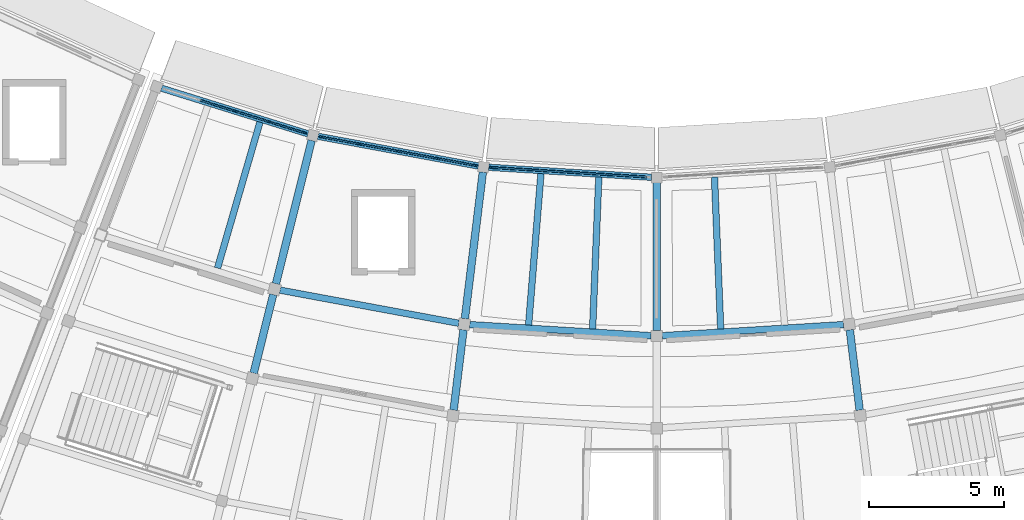
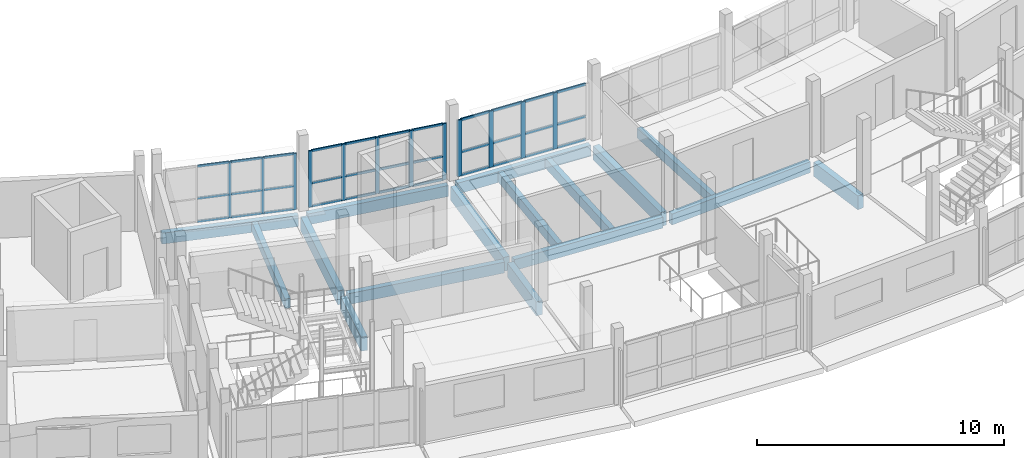
# One storey, part 26 of 66: 45 members, 16 beams, 3 elements without a shape of their own.
"""IFC4 building model written with IfcOpenShell, lengths in metres."""

from ifc_helpers import new_model, si_unit, direction, frame, origin, origin_2d, place, context, subcontext, project, spatial, rectangle, extrude, material, layer, layer_set, material_profile, profile_set, type_object, element, aggregate, save


model = new_model("IFC4")

# Units and contexts
model_context = context("Model", 3, precision=1e-05, world=origin(), true_north=direction((0.0, 1.0)))
body_context = subcontext(model_context, "Body", "Model", "MODEL_VIEW")
ifc_project = project(units=[si_unit("LENGTHUNIT", "METRE"), si_unit("AREAUNIT", "SQUARE_METRE"), si_unit("VOLUMEUNIT", "CUBIC_METRE"), si_unit("PLANEANGLEUNIT", "RADIAN"), si_unit("MASSUNIT", "GRAM", prefix="KILO")], contexts=[model_context])

# Site, building, storey
site_placement = place(None, origin())
site = spatial("IfcSite", under=ifc_project, at=site_placement, CompositionType="ELEMENT")
building_placement = place(site_placement, origin())
building = spatial("IfcBuilding", under=site, at=building_placement, Name="Caldaven Crescent School", CompositionType="ELEMENT")
storey_placement = place(building_placement, frame((0.0, 0.0, 8.159912109375)))
storey = spatial("IfcBuildingStorey", under=building, at=storey_placement, Name="L02", CompositionType="ELEMENT", Elevation=8.159912109375)

# Beams
ifc_material_1 = material(Name="Glulam MLE24h (GL28h)", Category="wood")
ifc_material_profile_1 = material_profile(ifc_material_1, rectangle(XDim=0.239990234375, YDim=0.5400390625, at=origin_2d()), Name="MLE 240x540")
ifc_profile_set_1 = profile_set([ifc_material_profile_1], Name="Glulam MLE24h (GL28h)")
beam_type_1 = type_object("IfcBeamType", Name="BM-GL54", PredefinedType="BEAM", material=ifc_profile_set_1)
for number, where, z_axis, x_axis, name in (
    (1, (74.097412109375, 39.394287109375, -0.52001953125), (0.983256896328, -0.182224794756, 0.0), (0.182224794756, 0.983256896328, 0.0), "BMT-V5-L02-1236"),
    (2, (81.099609375, 38.1220703125, -0.52001953125), (0.998133569693, -0.061068625755, 0.0), (0.061068625755, 0.998133569693, 0.0), "BMT-V5-L02-1243"),
    (3, (88.20458984375, 37.71240234375, -0.52001953125), (0.998133569693, 0.061068625755, 0.0), (-0.061068625755, 0.998133569693, 0.0), "BMT-V5-L02-1252"),
):
    element("IfcBeam", number, at=place(storey_placement, frame(where, z_axis=z_axis, x_axis=x_axis)), inside=storey, type_object=beam_type_1, Name=name, PredefinedType="BEAM", context=body_context, shape_type="SweptSolid", body=[
        extrude(rectangle(XDim=0.239990234375, YDim=0.5400390625, at=origin_2d()), origin(), (0.0, 0.0, 1.0), 6.708251953125),
    ])
ifc_material_profile_2 = material_profile(ifc_material_1, rectangle(XDim=0.280029296875, YDim=0.68994140625, at=origin_2d()), Name="MLE 280x690")
ifc_profile_set_2 = profile_set([ifc_material_profile_2], Name="Glulam MLE24h (GL28h)")
beam_type_2 = type_object("IfcBeamType", Name="BM-GL69", PredefinedType="BEAM", material=ifc_profile_set_2)
beam_1_placement = place(storey_placement, frame((75.26513671875, 44.923583984375, -0.594970703125), z_axis=(-0.241903730583, -0.970300255143, 0.0), x_axis=(0.970300255143, -0.241903730583, 0.0)))
element("IfcBeam", 4, at=beam_1_placement, inside=storey, type_object=beam_type_2, Name="BMR-V5-L02-1204", PredefinedType="BEAM", context=body_context, shape_type="SweptSolid", body=[
    extrude(rectangle(XDim=0.280029296875, YDim=0.68994140625, at=origin_2d()), origin(), (0.0, 0.0, 1.0), 5.455078125),
])
beam_2_placement = place(storey_placement, frame((73.846435546875, 39.23291015625, -0.594970703125), z_axis=(-0.241920820529, -0.97029599432, 0.0), x_axis=(0.97029599432, -0.241920820529, 0.0)))
element("IfcBeam", 5, at=beam_2_placement, inside=storey, type_object=beam_type_2, Name="BMR-V5-L02-1205", PredefinedType="BEAM", context=body_context, shape_type="SweptSolid", body=[
    extrude(rectangle(XDim=0.280029296875, YDim=0.68994140625, at=origin_2d()), origin(), (0.0, 0.0, 1.0), 2.990234375),
])
beam_3_placement = place(storey_placement, frame((81.584716796875, 43.75244140625, -0.594970703125), z_axis=(-0.121869642909, -0.992546114867, 0.0), x_axis=(0.992546114867, -0.121869642909, 0.0)))
element("IfcBeam", 6, at=beam_3_placement, inside=storey, type_object=beam_type_2, Name="BMR-V5-L02-1208", PredefinedType="BEAM", context=body_context, shape_type="SweptSolid", body=[
    extrude(rectangle(XDim=0.280029296875, YDim=0.68994140625, at=origin_2d()), origin(), (0.0, 0.0, 1.0), 5.455078125),
])
beam_4_placement = place(storey_placement, frame((80.8701171875, 37.93115234375, -0.594970703125), z_axis=(-0.121904002134, -0.99254189547, 0.0), x_axis=(0.99254189547, -0.121904002134, 0.0)))
element("IfcBeam", 7, at=beam_4_placement, inside=storey, type_object=beam_type_2, Name="BMR-V5-L02-1209", PredefinedType="BEAM", context=body_context, shape_type="SweptSolid", body=[
    extrude(rectangle(XDim=0.280029296875, YDim=0.68994140625, at=origin_2d()), origin(), (0.0, 0.0, 1.0), 2.989990234375),
])
beam_5_placement = place(storey_placement, frame((88.0, 43.360107421875, -0.594970703125), z_axis=(0.0, -1.0, 0.0), x_axis=(1.0, 0.0, 0.0)))
element("IfcBeam", 8, at=beam_5_placement, inside=storey, type_object=beam_type_2, Name="BMR-V5-L02-1212", PredefinedType="BEAM", context=body_context, shape_type="SweptSolid", body=[
    extrude(rectangle(XDim=0.280029296875, YDim=0.68994140625, at=origin_2d()), origin(), (0.0, 0.0, 1.0), 5.455078125),
])
beam_6_placement = place(storey_placement, frame((95.1298828125, 37.93115234375, -0.594970703125), z_axis=(0.121904002134, -0.99254189547, 0.0), x_axis=(0.99254189547, 0.121904002134, 0.0)))
element("IfcBeam", 9, at=beam_6_placement, inside=storey, type_object=beam_type_2, Name="BMR-V5-L02-1217", PredefinedType="BEAM", context=body_context, shape_type="SweptSolid", body=[
    extrude(rectangle(XDim=0.280029296875, YDim=0.68994140625, at=origin_2d()), origin(), (0.0, 0.0, 1.0), 2.989990234375),
])

# Curtain wall, members
ifc_material_2 = material(Name="Anodised aluminium AA 6063-T6 and low-E double glazing", Category="aluminium")
ifc_layer_1 = layer(ifc_material_2, 0.2099609375)
ifc_layer_set_1 = layer_set([ifc_layer_1], Name="Anodised aluminium AA 6063-T6 and low-E double glazing")
curtain_wall_type_1 = type_object("IfcCurtainWallType", Name="CW-SYS3", PredefinedType="NOTDEFINED", material=ifc_layer_set_1)
curtain_wall_1_placement = place(storey_placement, origin())
curtain_wall_1 = element("IfcCurtainWall", 10, at=curtain_wall_1_placement, inside=storey, type_object=curtain_wall_type_1, Name="CW-L02-140", PredefinedType="NOTDEFINED")
ifc_material_3 = material(Name="Anodised aluminium AA 6063-T6", Category="aluminium")
ifc_material_profile_3 = material_profile(ifc_material_3, rectangle(XDim=0.06005859375, YDim=0.14990234375, at=origin_2d()), Name="CWM 60x150")
ifc_profile_set_3 = profile_set([ifc_material_profile_3], Name="Anodised aluminium AA 6063-T6")
member_type_1 = type_object("IfcMemberType", Name="CWM-T1", PredefinedType="MULLION", material=ifc_profile_set_3)
member_1_placement = place(storey_placement, frame((72.42626953125, 46.0068359375, 0.0), z_axis=(0.0, 0.0, 1.0), x_axis=(0.297419758694, 0.954746818344, 0.0)))
member_1 = element("IfcMember", 11, at=member_1_placement, type_object=member_type_1, Name="CW3 mullion 3", PredefinedType="MULLION", context=body_context, shape_type="SweptSolid", body=[
    extrude(rectangle(XDim=0.06005859375, YDim=0.14990234375, at=origin_2d()), origin(), (0.0, 0.0, 1.0), 2.780029296875),
])
member_2_placement = place(storey_placement, frame((73.7255859375, 45.60205078125, 0.0), z_axis=(0.0, 0.0, 1.0), x_axis=(0.297419758694, 0.954746818344, 0.0)))
member_2 = element("IfcMember", 12, at=member_2_placement, type_object=member_type_1, Name="CW3 mullion 4", PredefinedType="MULLION", context=body_context, shape_type="SweptSolid", body=[
    extrude(rectangle(XDim=0.06005859375, YDim=0.14990234375, at=origin_2d()), origin(), (0.0, 0.0, 1.0), 2.780029296875),
])
member_3_placement = place(storey_placement, frame((74.99609375, 45.2060546875, 0.0), z_axis=(0.0, 0.0, 1.0), x_axis=(0.297419758694, 0.954746818344, 0.0)))
member_3 = element("IfcMember", 13, at=member_3_placement, type_object=member_type_1, Name="CW3 mullion 5", PredefinedType="MULLION", context=body_context, shape_type="SweptSolid", body=[
    extrude(rectangle(XDim=0.06005859375, YDim=0.14990234375, at=origin_2d()), origin(), (0.0, 0.0, 1.0), 2.780029296875),
])

ifc_layer_2 = layer(ifc_material_2, 0.22998046875)
ifc_layer_set_2 = layer_set([ifc_layer_2], Name="Anodised aluminium AA 6063-T6 and low-E double glazing")
curtain_wall_type_2 = type_object("IfcCurtainWallType", Name="CW-SYS4", PredefinedType="NOTDEFINED", material=ifc_layer_set_2)
curtain_wall_2_placement = place(storey_placement, origin())
curtain_wall_2 = element("IfcCurtainWall", 14, at=curtain_wall_2_placement, inside=storey, type_object=curtain_wall_type_2, Name="CW-L02-142", PredefinedType="NOTDEFINED")
ifc_material_profile_4 = material_profile(ifc_material_3, rectangle(XDim=0.06494140625, YDim=0.179931640625, at=origin_2d()), Name="CWM 65x180")
ifc_profile_set_4 = profile_set([ifc_material_profile_4], Name="Anodised aluminium AA 6063-T6")
member_type_2 = type_object("IfcMemberType", Name="CWM-T2", PredefinedType="MULLION", material=ifc_profile_set_4)
member_4_placement = place(storey_placement, frame((75.63818359375, 45.04736328125, 0.0), z_axis=(0.0, 0.0, 1.0), x_axis=(0.182236405836, 0.983254744401, 0.0)))
member_4 = element("IfcMember", 15, at=member_4_placement, type_object=member_type_2, Name="CW4 mullion 1", PredefinedType="MULLION", context=body_context, shape_type="SweptSolid", body=[
    extrude(rectangle(XDim=0.06494140625, YDim=0.179931640625, at=origin_2d()), origin(), (0.0, 0.0, 1.0), 2.780029296875),
])
member_5_placement = place(storey_placement, frame((77.032958984375, 44.788818359375, 0.0), z_axis=(0.0, 0.0, 1.0), x_axis=(0.182236405836, 0.983254744401, 0.0)))
member_5 = element("IfcMember", 16, at=member_5_placement, type_object=member_type_2, Name="CW4 mullion 2", PredefinedType="MULLION", context=body_context, shape_type="SweptSolid", body=[
    extrude(rectangle(XDim=0.06494140625, YDim=0.179931640625, at=origin_2d()), origin(), (0.0, 0.0, 1.0), 2.780029296875),
])
member_6_placement = place(storey_placement, frame((78.45947265625, 44.5244140625, 0.0), z_axis=(0.0, 0.0, 1.0), x_axis=(0.182236405836, 0.983254744401, 0.0)))
member_6 = element("IfcMember", 17, at=member_6_placement, type_object=member_type_2, Name="CW4 mullion 3", PredefinedType="MULLION", context=body_context, shape_type="SweptSolid", body=[
    extrude(rectangle(XDim=0.06494140625, YDim=0.179931640625, at=origin_2d()), origin(), (0.0, 0.0, 1.0), 2.780029296875),
])
member_7_placement = place(storey_placement, frame((79.88623046875, 44.260009765625, 0.0), z_axis=(0.0, 0.0, 1.0), x_axis=(0.182236405836, 0.983254744401, 0.0)))
member_7 = element("IfcMember", 18, at=member_7_placement, type_object=member_type_2, Name="CW4 mullion 4", PredefinedType="MULLION", context=body_context, shape_type="SweptSolid", body=[
    extrude(rectangle(XDim=0.06494140625, YDim=0.179931640625, at=origin_2d()), origin(), (0.0, 0.0, 1.0), 2.780029296875),
])
member_8_placement = place(storey_placement, frame((81.281005859375, 44.00146484375, 0.0), z_axis=(0.0, 0.0, 1.0), x_axis=(0.182236405836, 0.983254744401, 0.0)))
member_8 = element("IfcMember", 19, at=member_8_placement, type_object=member_type_2, Name="CW4 mullion 5", PredefinedType="MULLION", context=body_context, shape_type="SweptSolid", body=[
    extrude(rectangle(XDim=0.06494140625, YDim=0.179931640625, at=origin_2d()), origin(), (0.0, 0.0, 1.0), 2.780029296875),
])

ifc_layer_3 = layer(ifc_material_2, 0.169921875)
ifc_layer_set_3 = layer_set([ifc_layer_3], Name="Anodised aluminium AA 6063-T6 and low-E double glazing")
curtain_wall_type_3 = type_object("IfcCurtainWallType", Name="CW-SYS1", PredefinedType="NOTDEFINED", material=ifc_layer_set_3)
curtain_wall_3_placement = place(storey_placement, origin())
curtain_wall_3 = element("IfcCurtainWall", 20, at=curtain_wall_3_placement, inside=storey, type_object=curtain_wall_type_3, Name="CW-L02-143", PredefinedType="NOTDEFINED")
ifc_material_profile_5 = material_profile(ifc_material_3, rectangle(XDim=0.070068359375, YDim=0.2099609375, at=origin_2d()), Name="CWM 70x210")
ifc_profile_set_5 = profile_set([ifc_material_profile_5], Name="Anodised aluminium AA 6063-T6")
member_type_3 = type_object("IfcMemberType", Name="CWM-T3", PredefinedType="MULLION", material=ifc_profile_set_5)
member_9_placement = place(storey_placement, frame((81.9423828125, 43.92041015625, 0.0), z_axis=(0.0, 0.0, 1.0), x_axis=(0.061049319496, 0.998134750717, 0.0)))
member_9 = element("IfcMember", 21, at=member_9_placement, type_object=member_type_3, Name="CW1 mullion 1", PredefinedType="MULLION", context=body_context, shape_type="SweptSolid", body=[
    extrude(rectangle(XDim=0.070068359375, YDim=0.2099609375, at=origin_2d()), origin(), (0.0, 0.0, 1.0), 2.780029296875),
])
member_10_placement = place(storey_placement, frame((83.355712890625, 43.833984375, 0.0), z_axis=(0.0, 0.0, 1.0), x_axis=(0.061049319496, 0.998134750717, 0.0)))
member_10 = element("IfcMember", 22, at=member_10_placement, type_object=member_type_3, Name="CW1 mullion 2", PredefinedType="MULLION", context=body_context, shape_type="SweptSolid", body=[
    extrude(rectangle(XDim=0.070068359375, YDim=0.2099609375, at=origin_2d()), origin(), (0.0, 0.0, 1.0), 2.780029296875),
])
member_11_placement = place(storey_placement, frame((84.803955078125, 43.745361328125, 0.0), z_axis=(0.0, 0.0, 1.0), x_axis=(0.061049319496, 0.998134750717, 0.0)))
member_11 = element("IfcMember", 23, at=member_11_placement, type_object=member_type_3, Name="CW1 mullion 3", PredefinedType="MULLION", context=body_context, shape_type="SweptSolid", body=[
    extrude(rectangle(XDim=0.070068359375, YDim=0.2099609375, at=origin_2d()), origin(), (0.0, 0.0, 1.0), 2.780029296875),
])
member_12_placement = place(storey_placement, frame((86.252197265625, 43.656982421875, 0.0), z_axis=(0.0, 0.0, 1.0), x_axis=(0.061049319496, 0.998134750717, 0.0)))
member_12 = element("IfcMember", 24, at=member_12_placement, type_object=member_type_3, Name="CW1 mullion 4", PredefinedType="MULLION", context=body_context, shape_type="SweptSolid", body=[
    extrude(rectangle(XDim=0.070068359375, YDim=0.2099609375, at=origin_2d()), origin(), (0.0, 0.0, 1.0), 2.780029296875),
])

# Member
ifc_material_profile_6 = material_profile(ifc_material_3, rectangle(XDim=0.06005859375, YDim=0.1201171875, at=origin_2d()), Name="CWT 60x120")
ifc_profile_set_6 = profile_set([ifc_material_profile_6], Name="Anodised aluminium AA 6063-T6")
member_type_4 = type_object("IfcMemberType", Name="CWT-T1", PredefinedType="USERDEFINED", material=ifc_profile_set_6)
member_13_placement = place(storey_placement, frame((71.155517578125, 46.402587890625, 0.030029296875), z_axis=(0.954730104674, -0.297473405919, 0.0), x_axis=(0.297473405919, 0.954730104674, 0.0)))
member_13 = element("IfcMember", 25, at=member_13_placement, type_object=member_type_4, Name="CW3 transom 2.1", ObjectType="TRANSOM", PredefinedType="USERDEFINED", context=body_context, shape_type="SweptSolid", body=[
    extrude(rectangle(XDim=0.06005859375, YDim=0.1201171875, at=origin_2d()), origin(), (0.0, 0.0, 1.0), 1.30078125),
])

member_14_placement = place(storey_placement, frame((71.155517578125, 46.402587890625, 1.16796875), z_axis=(0.954730104674, -0.297473405919, 0.0), x_axis=(0.297473405919, 0.954730104674, 0.0)))
member_14 = element("IfcMember", 26, at=member_14_placement, type_object=member_type_4, Name="CW3 transom 2.2", ObjectType="TRANSOM", PredefinedType="USERDEFINED", context=body_context, shape_type="SweptSolid", body=[
    extrude(rectangle(XDim=0.06005859375, YDim=0.1201171875, at=origin_2d()), origin(), (0.0, 0.0, 1.0), 1.30078125),
])

member_15_placement = place(storey_placement, frame((71.155517578125, 46.402587890625, 2.75), z_axis=(0.954730104674, -0.297473405919, 0.0), x_axis=(0.297473405919, 0.954730104674, 0.0)))
member_15 = element("IfcMember", 27, at=member_15_placement, type_object=member_type_4, Name="CW3 transom 2.3", ObjectType="TRANSOM", PredefinedType="USERDEFINED", context=body_context, shape_type="SweptSolid", body=[
    extrude(rectangle(XDim=0.06005859375, YDim=0.1201171875, at=origin_2d()), origin(), (0.0, 0.0, 1.0), 1.30078125),
])

member_16_placement = place(storey_placement, frame((72.454833984375, 45.997802734375, 0.030029296875), z_axis=(0.954730104674, -0.297473405919, 0.0), x_axis=(0.297473405919, 0.954730104674, 0.0)))
member_16 = element("IfcMember", 28, at=member_16_placement, type_object=member_type_4, Name="CW3 transom 3.1", ObjectType="TRANSOM", PredefinedType="USERDEFINED", context=body_context, shape_type="SweptSolid", body=[
    extrude(rectangle(XDim=0.06005859375, YDim=0.1201171875, at=origin_2d()), origin(), (0.0, 0.0, 1.0), 1.30078125),
])

member_17_placement = place(storey_placement, frame((72.454833984375, 45.997802734375, 1.16796875), z_axis=(0.954730104674, -0.297473405919, 0.0), x_axis=(0.297473405919, 0.954730104674, 0.0)))
member_17 = element("IfcMember", 29, at=member_17_placement, type_object=member_type_4, Name="CW3 transom 3.2", ObjectType="TRANSOM", PredefinedType="USERDEFINED", context=body_context, shape_type="SweptSolid", body=[
    extrude(rectangle(XDim=0.06005859375, YDim=0.1201171875, at=origin_2d()), origin(), (0.0, 0.0, 1.0), 1.30078125),
])

member_18_placement = place(storey_placement, frame((72.454833984375, 45.997802734375, 2.75), z_axis=(0.954730104674, -0.297473405919, 0.0), x_axis=(0.297473405919, 0.954730104674, 0.0)))
member_18 = element("IfcMember", 30, at=member_18_placement, type_object=member_type_4, Name="CW3 transom 3.3", ObjectType="TRANSOM", PredefinedType="USERDEFINED", context=body_context, shape_type="SweptSolid", body=[
    extrude(rectangle(XDim=0.06005859375, YDim=0.1201171875, at=origin_2d()), origin(), (0.0, 0.0, 1.0), 1.30078125),
])

member_19_placement = place(storey_placement, frame((73.754150390625, 45.593017578125, 0.030029296875), z_axis=(0.954759851562, -0.297377917549, 0.0), x_axis=(0.297377917549, 0.954759851562, 0.0)))
member_19 = element("IfcMember", 31, at=member_19_placement, type_object=member_type_4, Name="CW3 transom 4.1", ObjectType="TRANSOM", PredefinedType="USERDEFINED", context=body_context, shape_type="SweptSolid", body=[
    extrude(rectangle(XDim=0.06005859375, YDim=0.1201171875, at=origin_2d()), origin(), (0.0, 0.0, 1.0), 1.270751953125),
])

member_20_placement = place(storey_placement, frame((73.754150390625, 45.593017578125, 1.16796875), z_axis=(0.954759851562, -0.297377917549, 0.0), x_axis=(0.297377917549, 0.954759851562, 0.0)))
member_20 = element("IfcMember", 32, at=member_20_placement, type_object=member_type_4, Name="CW3 transom 4.2", ObjectType="TRANSOM", PredefinedType="USERDEFINED", context=body_context, shape_type="SweptSolid", body=[
    extrude(rectangle(XDim=0.06005859375, YDim=0.1201171875, at=origin_2d()), origin(), (0.0, 0.0, 1.0), 1.270751953125),
])

member_21_placement = place(storey_placement, frame((73.754150390625, 45.593017578125, 2.75), z_axis=(0.954759851562, -0.297377917549, 0.0), x_axis=(0.297377917549, 0.954759851562, 0.0)))
member_21 = element("IfcMember", 33, at=member_21_placement, type_object=member_type_4, Name="CW3 transom 4.3", ObjectType="TRANSOM", PredefinedType="USERDEFINED", context=body_context, shape_type="SweptSolid", body=[
    extrude(rectangle(XDim=0.06005859375, YDim=0.1201171875, at=origin_2d()), origin(), (0.0, 0.0, 1.0), 1.270751953125),
])

aggregate(curtain_wall_1, [member_1, member_2, member_3, member_13, member_14, member_15, member_16, member_17, member_18, member_19, member_20, member_21])

member_22_placement = place(storey_placement, frame((75.670166015625, 45.04150390625, 0.030029296875), z_axis=(0.983264057672, -0.182186149009, 0.0), x_axis=(0.182186149009, 0.983264057672, 0.0)))
member_22 = element("IfcMember", 34, at=member_22_placement, type_object=member_type_4, Name="CW4 transom 1.1", ObjectType="TRANSOM", PredefinedType="USERDEFINED", context=body_context, shape_type="SweptSolid", body=[
    extrude(rectangle(XDim=0.06005859375, YDim=0.1201171875, at=origin_2d()), origin(), (0.0, 0.0, 1.0), 1.353515625),
])

member_23_placement = place(storey_placement, frame((75.670166015625, 45.04150390625, 1.16796875), z_axis=(0.983264057672, -0.182186149009, 0.0), x_axis=(0.182186149009, 0.983264057672, 0.0)))
member_23 = element("IfcMember", 35, at=member_23_placement, type_object=member_type_4, Name="CW4 transom 1.2", ObjectType="TRANSOM", PredefinedType="USERDEFINED", context=body_context, shape_type="SweptSolid", body=[
    extrude(rectangle(XDim=0.06005859375, YDim=0.1201171875, at=origin_2d()), origin(), (0.0, 0.0, 1.0), 1.353515625),
])

member_24_placement = place(storey_placement, frame((75.670166015625, 45.04150390625, 2.75), z_axis=(0.983264057672, -0.182186149009, 0.0), x_axis=(0.182186149009, 0.983264057672, 0.0)))
member_24 = element("IfcMember", 36, at=member_24_placement, type_object=member_type_4, Name="CW4 transom 1.3", ObjectType="TRANSOM", PredefinedType="USERDEFINED", context=body_context, shape_type="SweptSolid", body=[
    extrude(rectangle(XDim=0.06005859375, YDim=0.1201171875, at=origin_2d()), origin(), (0.0, 0.0, 1.0), 1.353515625),
])

member_25_placement = place(storey_placement, frame((77.06494140625, 44.782958984375, 0.030029296875), z_axis=(0.983241097753, -0.182310020812, 0.0), x_axis=(0.182310020812, 0.983241097753, 0.0)))
member_25 = element("IfcMember", 37, at=member_25_placement, type_object=member_type_4, Name="CW4 transom 2.1", ObjectType="TRANSOM", PredefinedType="USERDEFINED", context=body_context, shape_type="SweptSolid", body=[
    extrude(rectangle(XDim=0.06005859375, YDim=0.1201171875, at=origin_2d()), origin(), (0.0, 0.0, 1.0), 1.385986328125),
])

member_26_placement = place(storey_placement, frame((77.06494140625, 44.782958984375, 1.16796875), z_axis=(0.983241097753, -0.182310020812, 0.0), x_axis=(0.182310020812, 0.983241097753, 0.0)))
member_26 = element("IfcMember", 38, at=member_26_placement, type_object=member_type_4, Name="CW4 transom 2.2", ObjectType="TRANSOM", PredefinedType="USERDEFINED", context=body_context, shape_type="SweptSolid", body=[
    extrude(rectangle(XDim=0.06005859375, YDim=0.1201171875, at=origin_2d()), origin(), (0.0, 0.0, 1.0), 1.385986328125),
])

member_27_placement = place(storey_placement, frame((77.06494140625, 44.782958984375, 2.75), z_axis=(0.983241097753, -0.182310020812, 0.0), x_axis=(0.182310020812, 0.983241097753, 0.0)))
member_27 = element("IfcMember", 39, at=member_27_placement, type_object=member_type_4, Name="CW4 transom 2.3", ObjectType="TRANSOM", PredefinedType="USERDEFINED", context=body_context, shape_type="SweptSolid", body=[
    extrude(rectangle(XDim=0.06005859375, YDim=0.1201171875, at=origin_2d()), origin(), (0.0, 0.0, 1.0), 1.385986328125),
])

member_28_placement = place(storey_placement, frame((78.491455078125, 44.5185546875, 0.030029296875), z_axis=(0.983241097753, -0.182310020812, 0.0), x_axis=(0.182310020812, 0.983241097753, 0.0)))
member_28 = element("IfcMember", 40, at=member_28_placement, type_object=member_type_4, Name="CW4 transom 3.1", ObjectType="TRANSOM", PredefinedType="USERDEFINED", context=body_context, shape_type="SweptSolid", body=[
    extrude(rectangle(XDim=0.06005859375, YDim=0.1201171875, at=origin_2d()), origin(), (0.0, 0.0, 1.0), 1.385986328125),
])

member_29_placement = place(storey_placement, frame((78.491455078125, 44.5185546875, 1.16796875), z_axis=(0.983241097753, -0.182310020812, 0.0), x_axis=(0.182310020812, 0.983241097753, 0.0)))
member_29 = element("IfcMember", 41, at=member_29_placement, type_object=member_type_4, Name="CW4 transom 3.2", ObjectType="TRANSOM", PredefinedType="USERDEFINED", context=body_context, shape_type="SweptSolid", body=[
    extrude(rectangle(XDim=0.06005859375, YDim=0.1201171875, at=origin_2d()), origin(), (0.0, 0.0, 1.0), 1.385986328125),
])

member_30_placement = place(storey_placement, frame((78.491455078125, 44.5185546875, 2.75), z_axis=(0.983241097753, -0.182310020812, 0.0), x_axis=(0.182310020812, 0.983241097753, 0.0)))
member_30 = element("IfcMember", 42, at=member_30_placement, type_object=member_type_4, Name="CW4 transom 3.3", ObjectType="TRANSOM", PredefinedType="USERDEFINED", context=body_context, shape_type="SweptSolid", body=[
    extrude(rectangle(XDim=0.06005859375, YDim=0.1201171875, at=origin_2d()), origin(), (0.0, 0.0, 1.0), 1.385986328125),
])

member_31_placement = place(storey_placement, frame((79.918212890625, 44.254150390625, 0.030029296875), z_axis=(0.983264057672, -0.182186149009, 0.0), x_axis=(0.182186149009, 0.983264057672, 0.0)))
member_31 = element("IfcMember", 43, at=member_31_placement, type_object=member_type_4, Name="CW4 transom 4.1", ObjectType="TRANSOM", PredefinedType="USERDEFINED", context=body_context, shape_type="SweptSolid", body=[
    extrude(rectangle(XDim=0.06005859375, YDim=0.1201171875, at=origin_2d()), origin(), (0.0, 0.0, 1.0), 1.353515625),
])

member_32_placement = place(storey_placement, frame((79.918212890625, 44.254150390625, 1.16796875), z_axis=(0.983264057672, -0.182186149009, 0.0), x_axis=(0.182186149009, 0.983264057672, 0.0)))
member_32 = element("IfcMember", 44, at=member_32_placement, type_object=member_type_4, Name="CW4 transom 4.2", ObjectType="TRANSOM", PredefinedType="USERDEFINED", context=body_context, shape_type="SweptSolid", body=[
    extrude(rectangle(XDim=0.06005859375, YDim=0.1201171875, at=origin_2d()), origin(), (0.0, 0.0, 1.0), 1.353515625),
])

member_33_placement = place(storey_placement, frame((79.918212890625, 44.254150390625, 2.75), z_axis=(0.983264057672, -0.182186149009, 0.0), x_axis=(0.182186149009, 0.983264057672, 0.0)))
member_33 = element("IfcMember", 45, at=member_33_placement, type_object=member_type_4, Name="CW4 transom 4.3", ObjectType="TRANSOM", PredefinedType="USERDEFINED", context=body_context, shape_type="SweptSolid", body=[
    extrude(rectangle(XDim=0.06005859375, YDim=0.1201171875, at=origin_2d()), origin(), (0.0, 0.0, 1.0), 1.353515625),
])

aggregate(curtain_wall_2, [member_4, member_5, member_6, member_7, member_8, member_22, member_23, member_24, member_25, member_26, member_27, member_28, member_29, member_30, member_31, member_32, member_33])

ifc_material_profile_7 = material_profile(ifc_material_3, rectangle(XDim=0.06494140625, YDim=0.139892578125, at=origin_2d()), Name="CWT 65x140")
ifc_profile_set_7 = profile_set([ifc_material_profile_7], Name="Anodised aluminium AA 6063-T6")
member_type_5 = type_object("IfcMemberType", Name="CWT-T2", PredefinedType="USERDEFINED", material=ifc_profile_set_7)
member_34_placement = place(storey_placement, frame((81.977294921875, 43.91845703125, 0.032470703125), z_axis=(0.998130130323, -0.06112481445, 0.0), x_axis=(0.06112481445, 0.998130130323, 0.0)))
member_34 = element("IfcMember", 46, at=member_34_placement, type_object=member_type_5, Name="CW1 transom 1.1", ObjectType="TRANSOM", PredefinedType="USERDEFINED", context=body_context, shape_type="SweptSolid", body=[
    extrude(rectangle(XDim=0.06494140625, YDim=0.139892578125, at=origin_2d()), origin(), (0.0, 0.0, 1.0), 1.345947265625),
])

member_35_placement = place(storey_placement, frame((81.977294921875, 43.91845703125, 1.16796875), z_axis=(0.998130130323, -0.06112481445, 0.0), x_axis=(0.06112481445, 0.998130130323, 0.0)))
member_35 = element("IfcMember", 47, at=member_35_placement, type_object=member_type_5, Name="CW1 transom 1.2", ObjectType="TRANSOM", PredefinedType="USERDEFINED", context=body_context, shape_type="SweptSolid", body=[
    extrude(rectangle(XDim=0.06494140625, YDim=0.139892578125, at=origin_2d()), origin(), (0.0, 0.0, 1.0), 1.345947265625),
])

member_36_placement = place(storey_placement, frame((81.977294921875, 43.91845703125, 2.74755859375), z_axis=(0.998130130323, -0.06112481445, 0.0), x_axis=(0.06112481445, 0.998130130323, 0.0)))
member_36 = element("IfcMember", 48, at=member_36_placement, type_object=member_type_5, Name="CW1 transom 1.3", ObjectType="TRANSOM", PredefinedType="USERDEFINED", context=body_context, shape_type="SweptSolid", body=[
    extrude(rectangle(XDim=0.06494140625, YDim=0.139892578125, at=origin_2d()), origin(), (0.0, 0.0, 1.0), 1.345947265625),
])

member_37_placement = place(storey_placement, frame((83.390625, 43.83203125, 0.032470703125), z_axis=(0.998127510881, -0.061167573285, 0.0), x_axis=(0.061167573285, 0.998127510881, 0.0)))
member_37 = element("IfcMember", 49, at=member_37_placement, type_object=member_type_5, Name="CW1 transom 2.1", ObjectType="TRANSOM", PredefinedType="USERDEFINED", context=body_context, shape_type="SweptSolid", body=[
    extrude(rectangle(XDim=0.06494140625, YDim=0.139892578125, at=origin_2d()), origin(), (0.0, 0.0, 1.0), 1.381103515625),
])

member_38_placement = place(storey_placement, frame((83.390625, 43.83203125, 1.16796875), z_axis=(0.998127510881, -0.061167573285, 0.0), x_axis=(0.061167573285, 0.998127510881, 0.0)))
member_38 = element("IfcMember", 50, at=member_38_placement, type_object=member_type_5, Name="CW1 transom 2.2", ObjectType="TRANSOM", PredefinedType="USERDEFINED", context=body_context, shape_type="SweptSolid", body=[
    extrude(rectangle(XDim=0.06494140625, YDim=0.139892578125, at=origin_2d()), origin(), (0.0, 0.0, 1.0), 1.381103515625),
])

member_39_placement = place(storey_placement, frame((83.390625, 43.83203125, 2.74755859375), z_axis=(0.998127510881, -0.061167573285, 0.0), x_axis=(0.061167573285, 0.998127510881, 0.0)))
member_39 = element("IfcMember", 51, at=member_39_placement, type_object=member_type_5, Name="CW1 transom 2.3", ObjectType="TRANSOM", PredefinedType="USERDEFINED", context=body_context, shape_type="SweptSolid", body=[
    extrude(rectangle(XDim=0.06494140625, YDim=0.139892578125, at=origin_2d()), origin(), (0.0, 0.0, 1.0), 1.381103515625),
])

member_40_placement = place(storey_placement, frame((84.8388671875, 43.743408203125, 0.032470703125), z_axis=(0.998127510881, -0.061167573285, 0.0), x_axis=(0.061167573285, 0.998127510881, 0.0)))
member_40 = element("IfcMember", 52, at=member_40_placement, type_object=member_type_5, Name="CW1 transom 3.1", ObjectType="TRANSOM", PredefinedType="USERDEFINED", context=body_context, shape_type="SweptSolid", body=[
    extrude(rectangle(XDim=0.06494140625, YDim=0.139892578125, at=origin_2d()), origin(), (0.0, 0.0, 1.0), 1.381103515625),
])

member_41_placement = place(storey_placement, frame((84.8388671875, 43.743408203125, 1.16796875), z_axis=(0.998127510881, -0.061167573285, 0.0), x_axis=(0.061167573285, 0.998127510881, 0.0)))
member_41 = element("IfcMember", 53, at=member_41_placement, type_object=member_type_5, Name="CW1 transom 3.2", ObjectType="TRANSOM", PredefinedType="USERDEFINED", context=body_context, shape_type="SweptSolid", body=[
    extrude(rectangle(XDim=0.06494140625, YDim=0.139892578125, at=origin_2d()), origin(), (0.0, 0.0, 1.0), 1.381103515625),
])

member_42_placement = place(storey_placement, frame((84.8388671875, 43.743408203125, 2.74755859375), z_axis=(0.998127510881, -0.061167573285, 0.0), x_axis=(0.061167573285, 0.998127510881, 0.0)))
member_42 = element("IfcMember", 54, at=member_42_placement, type_object=member_type_5, Name="CW1 transom 3.3", ObjectType="TRANSOM", PredefinedType="USERDEFINED", context=body_context, shape_type="SweptSolid", body=[
    extrude(rectangle(XDim=0.06494140625, YDim=0.139892578125, at=origin_2d()), origin(), (0.0, 0.0, 1.0), 1.381103515625),
])

member_43_placement = place(storey_placement, frame((86.287109375, 43.65478515625, 0.032470703125), z_axis=(0.998130130323, -0.06112481445, 0.0), x_axis=(0.06112481445, 0.998130130323, 0.0)))
member_43 = element("IfcMember", 55, at=member_43_placement, type_object=member_type_5, Name="CW1 transom 4.1", ObjectType="TRANSOM", PredefinedType="USERDEFINED", context=body_context, shape_type="SweptSolid", body=[
    extrude(rectangle(XDim=0.06494140625, YDim=0.139892578125, at=origin_2d()), origin(), (0.0, 0.0, 1.0), 1.345947265625),
])

member_44_placement = place(storey_placement, frame((86.287109375, 43.65478515625, 1.16796875), z_axis=(0.998130130323, -0.06112481445, 0.0), x_axis=(0.06112481445, 0.998130130323, 0.0)))
member_44 = element("IfcMember", 56, at=member_44_placement, type_object=member_type_5, Name="CW1 transom 4.2", ObjectType="TRANSOM", PredefinedType="USERDEFINED", context=body_context, shape_type="SweptSolid", body=[
    extrude(rectangle(XDim=0.06494140625, YDim=0.139892578125, at=origin_2d()), origin(), (0.0, 0.0, 1.0), 1.345947265625),
])

member_45_placement = place(storey_placement, frame((86.287109375, 43.65478515625, 2.74755859375), z_axis=(0.998130130323, -0.06112481445, 0.0), x_axis=(0.06112481445, 0.998130130323, 0.0)))
member_45 = element("IfcMember", 57, at=member_45_placement, type_object=member_type_5, Name="CW1 transom 4.3", ObjectType="TRANSOM", PredefinedType="USERDEFINED", context=body_context, shape_type="SweptSolid", body=[
    extrude(rectangle(XDim=0.06494140625, YDim=0.139892578125, at=origin_2d()), origin(), (0.0, 0.0, 1.0), 1.345947265625),
])

aggregate(curtain_wall_3, [member_9, member_10, member_11, member_12, member_34, member_35, member_36, member_37, member_38, member_39, member_40, member_41, member_42, member_43, member_44, member_45])

# Beams
ifc_material_profile_8 = material_profile(ifc_material_1, rectangle(XDim=0.239990234375, YDim=0.47998046875, at=origin_2d()), Name="MLE 240x480")
ifc_profile_set_8 = profile_set([ifc_material_profile_8], Name="Glulam MLE24h (GL28h)")
beam_type_3 = type_object("IfcBeamType", Name="JS-GL48", PredefinedType="JOIST", material=ifc_profile_set_8)
beam_7_placement = place(storey_placement, frame((73.355712890625, 45.5966796875, -0.489990234375), z_axis=(-0.278982349026, -0.960296229781, 0.0), x_axis=(0.960296229781, -0.278982349026, 0.0)))
element("IfcBeam", 58, at=beam_7_placement, inside=storey, type_object=beam_type_3, Name="JSR-V5-L02-1234", PredefinedType="JOIST", context=body_context, shape_type="SweptSolid", body=[
    extrude(rectangle(XDim=0.239990234375, YDim=0.47998046875, at=origin_2d()), origin(), (0.0, 0.0, 1.0), 5.611328125),
])
for number, where, z_axis, x_axis, name in (
    (59, (83.729248046875, 43.696044921875, -0.489990234375), (-0.081374360202, -0.996683607521, 0.0), (0.996683607521, -0.081374360202, 0.0), "JSR-V5-L02-1247"),
    (60, (85.86474609375, 43.5654296875, -0.489990234375), (-0.040730946432, -0.999170150676, 0.0), (0.999170150676, -0.040730946432, 0.0), "JSR-V5-L02-1249"),
    (61, (90.13525390625, 43.5654296875, -0.489990234375), (0.040730946432, -0.999170150676, 0.0), (0.999170150676, 0.040730946432, 0.0), "JSR-V5-L02-1256"),
):
    element("IfcBeam", number, at=place(storey_placement, frame(where, z_axis=z_axis, x_axis=x_axis)), inside=storey, type_object=beam_type_3, Name=name, PredefinedType="JOIST", context=body_context, shape_type="SweptSolid", body=[
        extrude(rectangle(XDim=0.239990234375, YDim=0.47998046875, at=origin_2d()), origin(), (0.0, 0.0, 1.0), 5.6103515625),
    ])
ifc_material_profile_9 = material_profile(ifc_material_1, rectangle(XDim=0.239990234375, YDim=0.5400390625, at=origin_2d()), Name="MLE 240x540")
ifc_profile_set_9 = profile_set([ifc_material_profile_9], Name="Glulam MLE24h (GL28h)")
beam_type_4 = type_object("IfcBeamType", Name="SP-GL54", PredefinedType="SPANDREL", material=ifc_profile_set_9)
beam_8_placement = place(storey_placement, frame((69.72265625, 46.848876953125, -0.52001953125), z_axis=(0.954752645565, -0.297401052093, 0.0), x_axis=(0.297401052093, 0.954752645565, 0.0)))
element("IfcBeam", 62, at=beam_8_placement, inside=storey, type_object=beam_type_4, Name="BMT-V5-L02-1228", PredefinedType="SPANDREL", context=body_context, shape_type="SweptSolid", body=[
    extrude(rectangle(XDim=0.239990234375, YDim=0.5400390625, at=origin_2d()), origin(), (0.0, 0.0, 1.0), 5.66357421875),
])
for number, where, z_axis, x_axis, name in (
    (63, (75.498046875, 45.0732421875, -0.52001953125), (0.98325861513, -0.18221552012, 0.0), (0.18221552012, 0.98325861513, 0.0), "BMT-V5-L02-1235"),
    (64, (81.797607421875, 43.929443359375, -0.52001953125), (0.998133101455, -0.061076278378, 0.0), (0.061076278378, 0.998133101455, 0.0), "BMT-V5-L02-1242"),
):
    element("IfcBeam", number, at=place(storey_placement, frame(where, z_axis=z_axis, x_axis=x_axis)), inside=storey, type_object=beam_type_4, Name=name, PredefinedType="SPANDREL", context=body_context, shape_type="SweptSolid", body=[
        extrude(rectangle(XDim=0.239990234375, YDim=0.5400390625, at=origin_2d()), origin(), (0.0, 0.0, 1.0), 6.02392578125),
    ])

save(model, "model.ifc")
